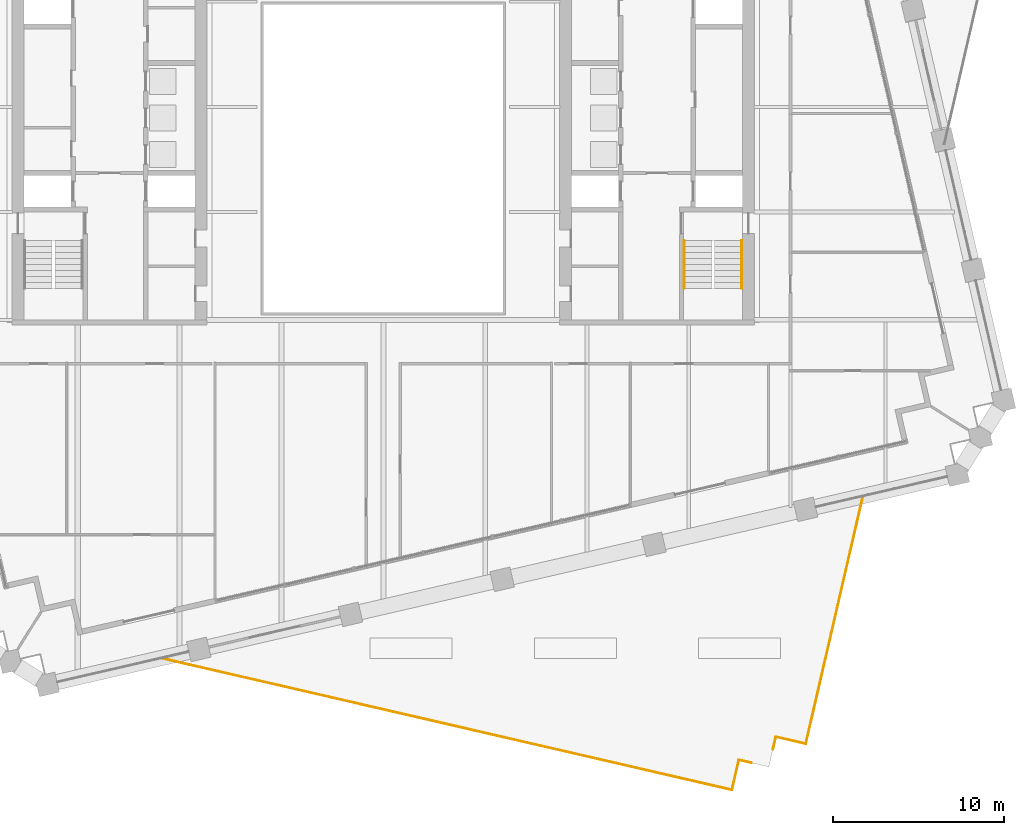
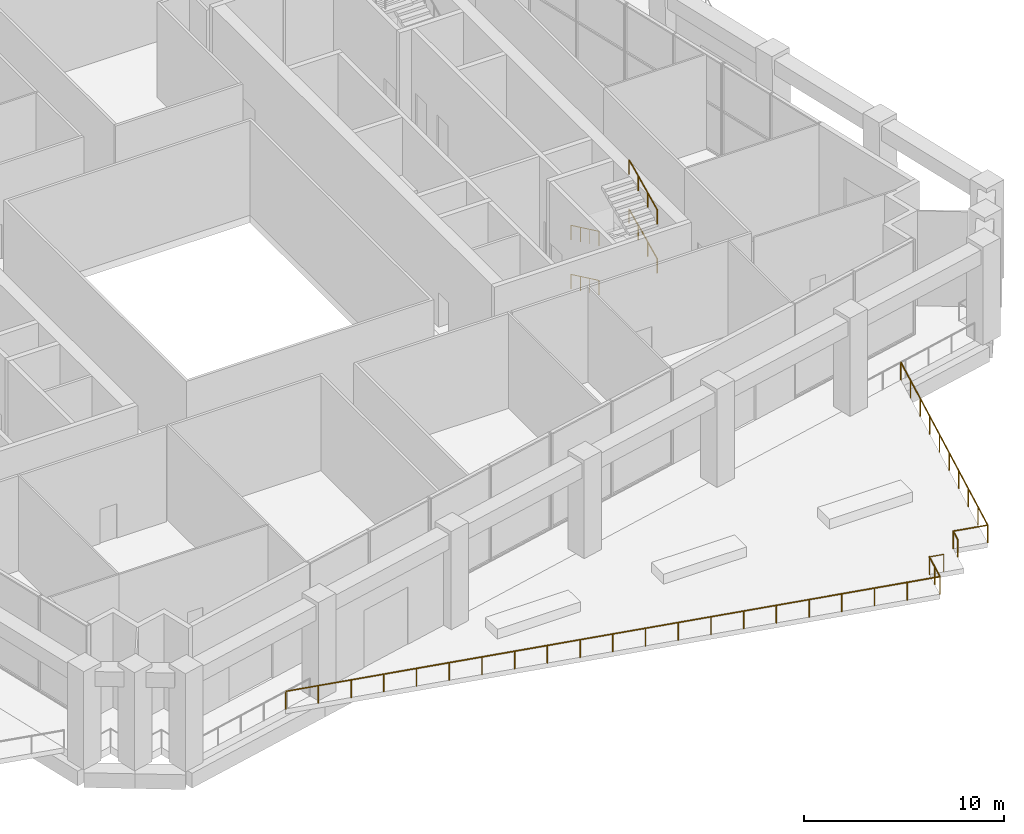
# One storey, part 19 of 24: 10 railings.
"""IFC4 building model written with IfcOpenShell, lengths in metres."""

import ifcopenshell
import ifcopenshell.guid

model = None  # the IFC model being written
_history = None  # IfcOwnerHistory: only IFC2X3 demands one
_inside = {}  # id of a spatial element -> (the spatial element, [elements in it])
_under = {}  # id of a project, library or spatial element -> (it, [spatial elements below it])
_declared = {}  # id of a project -> (the project, [libraries it declares])
_typed = {}  # id of a type object -> (the type object, [elements of that type])
_made_of = {}  # id of a material, layer set ... -> (it, [elements and type objects made of it])


def new_model(schema):
    """Start an empty IFC model of exactly this schema.

    Asked for "IFC4X3", IfcOpenShell would pick the latest addendum, in which some entities
    have other attributes; the version numbers below select the first issue.
    IFC2X3 requires an IfcOwnerHistory on every rooted entity: one is made here for all.
    """
    global model, _history
    if schema == "IFC4X3":
        model = ifcopenshell.file(schema_version=(4, 3, 0, 0))
    else:
        model = ifcopenshell.file(schema=schema)
    _inside.clear()
    _under.clear()
    _declared.clear()
    _typed.clear()
    _made_of.clear()
    _history = None
    if model.schema == "IFC2X3":
        org = make("IfcOrganization", Name="unknown")
        user = make(
            "IfcPersonAndOrganization",
            ThePerson=make("IfcPerson", FamilyName="unknown"),
            TheOrganization=org,
        )
        app = make(
            "IfcApplication",
            ApplicationDeveloper=org,
            Version="unknown",
            ApplicationFullName="unknown",
            ApplicationIdentifier="unknown",
        )
        _history = make(
            "IfcOwnerHistory",
            OwningUser=user,
            OwningApplication=app,
            ChangeAction="ADDED",
            CreationDate=0,
        )
    return model


def make(cls, **values):
    """One entity of the class cls with the attributes given. An attribute that is None is left unset."""
    return model.create_entity(
        cls, **{name: value for name, value in values.items() if value is not None}
    )


def rooted(cls, **values):
    """An entity with a GlobalId (a new one), such as an element, a storey or a relation."""
    return make(cls, GlobalId=ifcopenshell.guid.new(), OwnerHistory=_history, **values)


def si_unit(unit_type, name, prefix=None):
    """IfcSIUnit, for example si_unit("LENGTHUNIT", "METRE", prefix="MILLI")."""
    return make("IfcSIUnit", UnitType=unit_type, Prefix=prefix, Name=name)


def assignment(units):
    """IfcUnitAssignment: the units of a project."""
    return None if units is None else make("IfcUnitAssignment", Units=units)


def point(xyz):
    """IfcCartesianPoint."""
    return None if xyz is None else make("IfcCartesianPoint", Coordinates=xyz)


def direction(xyz):
    """IfcDirection."""
    return None if xyz is None else make("IfcDirection", DirectionRatios=xyz)


def frame(location, z_axis=None, x_axis=None):
    """IfcAxis2Placement3D, a coordinate frame: its origin and axes. An axis left out is left unset."""
    return make(
        "IfcAxis2Placement3D",
        Location=point(location),
        Axis=direction(z_axis),
        RefDirection=direction(x_axis),
    )


def frame_2d(location, x_axis=None):
    """IfcAxis2Placement2D, a coordinate frame in the plane: its origin and x axis."""
    return make(
        "IfcAxis2Placement2D", Location=point(location), RefDirection=direction(x_axis)
    )


def origin():
    """The frame at (0, 0, 0) with its axes left unset."""
    return frame((0.0, 0.0, 0.0))


def origin_2d():
    """The frame at (0, 0) in the plane with its x axis left unset."""
    return frame_2d((0.0, 0.0))


def place(relative_to, where):
    """IfcLocalPlacement: puts the frame where relative to a parent placement (None: the world)."""
    return make(
        "IfcLocalPlacement", PlacementRelTo=relative_to, RelativePlacement=where
    )


def context(
    kind, dimensions, precision=None, world=None, true_north=None, identifier=None
):
    """IfcGeometricRepresentationContext, for example the 3D "Model" context."""
    return make(
        "IfcGeometricRepresentationContext",
        ContextIdentifier=identifier,
        ContextType=kind,
        CoordinateSpaceDimension=dimensions,
        Precision=precision,
        WorldCoordinateSystem=world,
        TrueNorth=true_north,
    )


def subcontext(parent, identifier, kind, view, scale=None):
    """IfcGeometricRepresentationSubContext, for example "Body" below "Model"."""
    return make(
        "IfcGeometricRepresentationSubContext",
        ContextIdentifier=identifier,
        ContextType=kind,
        ParentContext=parent,
        TargetScale=scale,
        TargetView=view,
    )


def project(units=None, contexts=None):
    """IfcProject with its units and contexts."""
    return rooted(
        "IfcProject",
        Name="project",
        RepresentationContexts=contexts,
        UnitsInContext=assignment(units),
    )


def spatial(cls, under=None, at=None, **own):
    """A site, building, storey or space (cls), placed at a placement, below another one or the project."""
    s = rooted(cls, ObjectPlacement=at, **own)
    if under is not None:
        _under.setdefault(under.id(), (under, []))[1].append(s)
    return s


def profile(cls, at=None, kind="AREA", **sizes):
    """A parametric profile (cls). Its sizes go by their IFC names, for example OverallWidth=200.0."""
    return make(cls, ProfileType=kind, Position=at, **sizes)


def circle(**sizes):
    """IfcCircleProfileDef."""
    return profile("IfcCircleProfileDef", **sizes)


def extrude(swept, where, along, depth):
    """IfcExtrudedAreaSolid: the profile swept, set in the frame where, extruded along a direction by depth."""
    return make(
        "IfcExtrudedAreaSolid",
        SweptArea=swept,
        Position=where,
        ExtrudedDirection=direction(along),
        Depth=depth,
    )


def shape(context_of_items, identifier, shape_type, items):
    """IfcShapeRepresentation: the items that make up one representation, for example the "Body"."""
    return make(
        "IfcShapeRepresentation",
        ContextOfItems=context_of_items,
        RepresentationIdentifier=identifier,
        RepresentationType=shape_type,
        Items=items,
    )


def material(Name=None, Category=None):
    """IfcMaterial."""
    return make("IfcMaterial", Name=Name, Category=Category)


def made_of(thing, what):
    """Note that an element or type object is made of a material, layer set ...; save() writes the relation."""
    if what is not None:
        _made_of.setdefault(what.id(), (what, []))[1].append(thing)
    return thing


def type_object(cls, material=None, **own):
    """A type object (cls), such as IfcWallType, which elements share."""
    return made_of(rooted(cls, **own), material)


def element(
    cls,
    number,
    at=None,
    inside=None,
    cuts=None,
    type_object=None,
    material=None,
    context=None,
    identifier="Body",
    shape_type=None,
    held_by="IfcProductDefinitionShape",
    body=None,
    shapes=None,
    **own,
):
    """One element of the class cls, such as IfcWall. Its Tag is "e" and its number.

    at: its placement. inside: the storey or other place that contains it. cuts: it is an
    opening in that element (IfcRelVoidsElement). A single representation is given by context,
    identifier, shape_type and body (its items); several are given by shapes. held_by: the class
    of the entity that holds the representations. save() writes the other relations.
    """
    e = rooted(cls, Tag="e%d" % number, ObjectPlacement=at, **own)
    if body is not None:
        shapes = [shape(context, identifier, shape_type, body)]
    if shapes is not None:
        e.Representation = make(held_by, Representations=shapes)
    if inside is not None:
        _inside.setdefault(inside.id(), (inside, []))[1].append(e)
    if cuts is not None:
        rooted(
            "IfcRelVoidsElement", RelatingBuildingElement=cuts, RelatedOpeningElement=e
        )
    if type_object is not None:
        _typed.setdefault(type_object.id(), (type_object, []))[1].append(e)
    return made_of(e, material)


def aggregate(whole, parts):
    """IfcRelAggregates: a whole, such as a stair, and the parts it consists of."""
    return rooted("IfcRelAggregates", RelatingObject=whole, RelatedObjects=parts)


def save(model, path):
    """Write the relations noted so far, then the file.

    IfcRelAggregates (storeys below a building ...), IfcRelContainedInSpatialStructure (elements
    in a storey), IfcRelDefinesByType, IfcRelAssociatesMaterial and IfcRelDeclares: one each for
    every whole, place, type object, material and project.
    """
    for whole, parts in _under.values():
        aggregate(whole, parts)
    for where, things in _inside.values():
        rooted(
            "IfcRelContainedInSpatialStructure",
            RelatedElements=things,
            RelatingStructure=where,
        )
    for kind, things in _typed.values():
        rooted("IfcRelDefinesByType", RelatedObjects=things, RelatingType=kind)
    for what, things in _made_of.values():
        rooted("IfcRelAssociatesMaterial", RelatedObjects=things, RelatingMaterial=what)
    for by, libraries in _declared.values():
        rooted("IfcRelDeclares", RelatingContext=by, RelatedDefinitions=libraries)
    model.write(path)


model = new_model("IFC4")

# Units and contexts
model_context = context("Model", 3, precision=1e-05, world=origin(), true_north=direction((0.0, 1.0)))
body_context = subcontext(model_context, "Body", "Model", "MODEL_VIEW")
ifc_project = project(units=[si_unit("LENGTHUNIT", "METRE"), si_unit("AREAUNIT", "SQUARE_METRE"), si_unit("VOLUMEUNIT", "CUBIC_METRE"), si_unit("PLANEANGLEUNIT", "RADIAN"), si_unit("MASSUNIT", "GRAM", prefix="KILO")], contexts=[model_context])

# Site, building, storey
site_placement = place(None, origin())
site = spatial("IfcSite", under=ifc_project, at=site_placement, CompositionType="ELEMENT")
building_placement = place(site_placement, origin())
building = spatial("IfcBuilding", under=site, at=building_placement, Name="Ogive Exchange Tower", CompositionType="ELEMENT")
storey_placement = place(building_placement, frame((0.0, 0.0, 165.60009765625)))
storey = spatial("IfcBuildingStorey", under=building, at=storey_placement, Name="L36", CompositionType="ELEMENT", Elevation=165.60009765625)

# Railings
ifc_material_1 = material(Name="Stainless steel 316", Category="steel")
railing_type_1 = type_object("IfcRailingType", Name="Balustrade 1100 glass and stainless steel", PredefinedType="BALUSTRADE", material=ifc_material_1)
railing_1_placement = place(storey_placement, frame((24.697509765625, -27.219970703125, 0.0)))
element("IfcRailing", 1, at=railing_1_placement, inside=storey, type_object=railing_type_1, Name="Terrace balustrade 1", PredefinedType="BALUSTRADE", context=body_context, shape_type="SweptSolid", body=[
    extrude(circle(Radius=0.02392578125, at=origin_2d()), frame((0.0, 0.0, 1.076171875), z_axis=(-0.974379763188, 0.224909041816, 0.0), x_axis=(-0.224909041816, -0.974379763188, 0.0)), (0.0, 0.0, 1.0), 1.7998046875),
    extrude(circle(Radius=0.02099609375, at=origin_2d()), origin(), (0.0, 0.0, 1.0), 1.052001953125),
    extrude(circle(Radius=0.02099609375, at=origin_2d()), frame((-1.753662109375, 0.40478515625, 0.0)), (0.0, 0.0, 1.0), 1.052001953125),
])
railing_2_placement = place(storey_placement, frame((22.94384765625, -26.815185546875, 0.0)))
element("IfcRailing", 2, at=railing_2_placement, inside=storey, type_object=railing_type_1, Name="Terrace balustrade 2", PredefinedType="BALUSTRADE", context=body_context, shape_type="SweptSolid", body=[
    extrude(circle(Radius=0.02392578125, at=origin_2d()), frame((0.0, 0.0, 1.076171875), z_axis=(-0.224954609936, -0.974369243905, 0.0), x_axis=(0.974369243905, -0.224954609936, 0.0)), (0.0, 0.0, 1.0), 0.75),
    extrude(circle(Radius=0.02099609375, at=origin_2d()), origin(), (0.0, 0.0, 1.0), 1.052001953125),
    extrude(circle(Radius=0.02099609375, at=origin_2d()), frame((-0.168701171875, -0.730712890625, 0.0)), (0.0, 0.0, 1.0), 1.052001953125),
])
railing_3_placement = place(storey_placement, frame((21.515869140625, -28.332763671875, 0.0)))
element("IfcRailing", 3, at=railing_3_placement, inside=storey, type_object=railing_type_1, Name="Terrace balustrade 3", PredefinedType="BALUSTRADE", context=body_context, shape_type="SweptSolid", body=[
    extrude(circle(Radius=0.02392578125, at=origin_2d()), frame((0.0, 0.0, 1.076171875), z_axis=(-0.974385710358, 0.224883275169, 0.0), x_axis=(-0.224883275169, -0.974385710358, 0.0)), (0.0, 0.0, 1.0), 0.750244140625),
    extrude(circle(Radius=0.02099609375, at=origin_2d()), origin(), (0.0, 0.0, 1.0), 1.052001953125),
    extrude(circle(Radius=0.02099609375, at=origin_2d()), frame((-0.73095703125, 0.168701171875, 0.0)), (0.0, 0.0, 1.0), 1.052001953125),
])
railing_4_placement = place(storey_placement, frame((20.784912109375, -28.1640625, 0.0)))
element("IfcRailing", 4, at=railing_4_placement, inside=storey, type_object=railing_type_1, Name="Terrace balustrade 4", PredefinedType="BALUSTRADE", context=body_context, shape_type="SweptSolid", body=[
    extrude(circle(Radius=0.02392578125, at=origin_2d()), frame((0.0, 0.0, 1.076171875), z_axis=(-0.224879318197, -0.974386623598, 0.0), x_axis=(0.974386623598, -0.224879318197, 0.0)), (0.0, 0.0, 1.0), 1.800048828125),
    extrude(circle(Radius=0.02099609375, at=origin_2d()), origin(), (0.0, 0.0, 1.0), 1.052001953125),
    extrude(circle(Radius=0.02099609375, at=origin_2d()), frame((-0.202392578125, -0.876953125, 0.0)), (0.0, 0.0, 1.0), 1.052001953125),
    extrude(circle(Radius=0.02099609375, at=origin_2d()), frame((-0.40478515625, -1.75390625, 0.0)), (0.0, 0.0, 1.0), 1.052001953125),
])
railing_5_placement = place(storey_placement, frame((20.380126953125, -29.91796875, 0.0)))
element("IfcRailing", 5, at=railing_5_placement, inside=storey, type_object=railing_type_1, Name="Terrace balustrade 5", PredefinedType="BALUSTRADE", context=body_context, shape_type="SweptSolid", body=[
    extrude(circle(Radius=0.02392578125, at=origin_2d()), frame((0.0, 0.0, 1.076171875), z_axis=(-0.974370288916, 0.224950083526, 0.0), x_axis=(-0.224950083526, -0.974370288916, 0.0)), (0.0, 0.0, 1.0), 34.25244140625),
    extrude(circle(Radius=0.02099609375, at=origin_2d()), origin(), (0.0, 0.0, 1.0), 1.052001953125),
    extrude(circle(Radius=0.02099609375, at=origin_2d()), frame((-1.668701171875, 0.38525390625, 0.0)), (0.0, 0.0, 1.0), 1.052001953125),
    extrude(circle(Radius=0.02099609375, at=origin_2d()), frame((-3.33740234375, 0.7705078125, 0.0)), (0.0, 0.0, 1.0), 1.052001953125),
    extrude(circle(Radius=0.02099609375, at=origin_2d()), frame((-5.006103515625, 1.15576171875, 0.0)), (0.0, 0.0, 1.0), 1.052001953125),
    extrude(circle(Radius=0.02099609375, at=origin_2d()), frame((-6.6748046875, 1.541015625, 0.0)), (0.0, 0.0, 1.0), 1.052001953125),
    extrude(circle(Radius=0.02099609375, at=origin_2d()), frame((-8.34375, 1.92626953125, 0.0)), (0.0, 0.0, 1.0), 1.052001953125),
    extrude(circle(Radius=0.02099609375, at=origin_2d()), frame((-10.012451171875, 2.3115234375, 0.0)), (0.0, 0.0, 1.0), 1.052001953125),
    extrude(circle(Radius=0.02099609375, at=origin_2d()), frame((-11.68115234375, 2.69677734375, 0.0)), (0.0, 0.0, 1.0), 1.052001953125),
    extrude(circle(Radius=0.02099609375, at=origin_2d()), frame((-13.349853515625, 3.08203125, 0.0)), (0.0, 0.0, 1.0), 1.052001953125),
    extrude(circle(Radius=0.02099609375, at=origin_2d()), frame((-15.0185546875, 3.46728515625, 0.0)), (0.0, 0.0, 1.0), 1.052001953125),
    extrude(circle(Radius=0.02099609375, at=origin_2d()), frame((-16.687255859375, 3.8525390625, 0.0)), (0.0, 0.0, 1.0), 1.052001953125),
    extrude(circle(Radius=0.02099609375, at=origin_2d()), frame((-18.35595703125, 4.23779296875, 0.0)), (0.0, 0.0, 1.0), 1.052001953125),
    extrude(circle(Radius=0.02099609375, at=origin_2d()), frame((-20.024658203125, 4.623046875, 0.0)), (0.0, 0.0, 1.0), 1.052001953125),
    extrude(circle(Radius=0.02099609375, at=origin_2d()), frame((-21.693359375, 5.00830078125, 0.0)), (0.0, 0.0, 1.0), 1.052001953125),
    extrude(circle(Radius=0.02099609375, at=origin_2d()), frame((-23.362060546875, 5.3935546875, 0.0)), (0.0, 0.0, 1.0), 1.052001953125),
    extrude(circle(Radius=0.02099609375, at=origin_2d()), frame((-25.03076171875, 5.77880859375, 0.0)), (0.0, 0.0, 1.0), 1.052001953125),
    extrude(circle(Radius=0.02099609375, at=origin_2d()), frame((-26.69970703125, 6.1640625, 0.0)), (0.0, 0.0, 1.0), 1.052001953125),
    extrude(circle(Radius=0.02099609375, at=origin_2d()), frame((-28.368408203125, 6.54931640625, 0.0)), (0.0, 0.0, 1.0), 1.052001953125),
    extrude(circle(Radius=0.02099609375, at=origin_2d()), frame((-30.037109375, 6.9345703125, 0.0)), (0.0, 0.0, 1.0), 1.052001953125),
    extrude(circle(Radius=0.02099609375, at=origin_2d()), frame((-31.705810546875, 7.31982421875, 0.0)), (0.0, 0.0, 1.0), 1.052001953125),
    extrude(circle(Radius=0.02099609375, at=origin_2d()), frame((-33.37451171875, 7.705078125, 0.0)), (0.0, 0.0, 1.0), 1.052001953125),
])
railing_6_placement = place(storey_placement, frame((28.040771484375, -12.739013671875, 0.0)))
element("IfcRailing", 6, at=railing_6_placement, inside=storey, type_object=railing_type_1, Name="Terrace balustrade 6", PredefinedType="BALUSTRADE", context=body_context, shape_type="SweptSolid", body=[
    extrude(circle(Radius=0.02392578125, at=origin_2d()), frame((0.0, 0.0, 1.076171875), z_axis=(-0.224955485355, -0.974369041795, 0.0), x_axis=(0.974369041795, -0.224955485355, 0.0)), (0.0, 0.0, 1.0), 14.86181640625),
    extrude(circle(Radius=0.02099609375, at=origin_2d()), origin(), (0.0, 0.0, 1.0), 1.052001953125),
    extrude(circle(Radius=0.02099609375, at=origin_2d()), frame((-0.37158203125, -1.60888671875, 0.0)), (0.0, 0.0, 1.0), 1.052001953125),
    extrude(circle(Radius=0.02099609375, at=origin_2d()), frame((-0.742919921875, -3.218017578125, 0.0)), (0.0, 0.0, 1.0), 1.052001953125),
    extrude(circle(Radius=0.02099609375, at=origin_2d()), frame((-1.114501953125, -4.826904296875, 0.0)), (0.0, 0.0, 1.0), 1.052001953125),
    extrude(circle(Radius=0.02099609375, at=origin_2d()), frame((-1.48583984375, -6.43603515625, 0.0)), (0.0, 0.0, 1.0), 1.052001953125),
    extrude(circle(Radius=0.02099609375, at=origin_2d()), frame((-1.857421875, -8.044921875, 0.0)), (0.0, 0.0, 1.0), 1.052001953125),
    extrude(circle(Radius=0.02099609375, at=origin_2d()), frame((-2.228759765625, -9.654052734375, 0.0)), (0.0, 0.0, 1.0), 1.052001953125),
    extrude(circle(Radius=0.02099609375, at=origin_2d()), frame((-2.600341796875, -11.262939453125, 0.0)), (0.0, 0.0, 1.0), 1.052001953125),
    extrude(circle(Radius=0.02099609375, at=origin_2d()), frame((-2.9716796875, -12.8720703125, 0.0)), (0.0, 0.0, 1.0), 1.052001953125),
    extrude(circle(Radius=0.02099609375, at=origin_2d()), frame((-3.34326171875, -14.48095703125, 0.0)), (0.0, 0.0, 1.0), 1.052001953125),
])
ifc_material_2 = material(Name="Stainless steel", Category="steel")
railing_type_2 = type_object("IfcRailingType", Name="Stair handrail 900", PredefinedType="HANDRAIL", material=ifc_material_2)
railing_7_placement = place(storey_placement, frame((17.60009765625, 2.199951171875, 0.16650390625)))
element("IfcRailing", 7, at=railing_7_placement, inside=storey, type_object=railing_type_2, Name="L36 ST3 stair handrail 1", PredefinedType="HANDRAIL", context=body_context, shape_type="SweptSolid", body=[
    extrude(circle(Radius=0.02392578125, at=origin_2d()), frame((0.0, 0.0, 0.8759765625), z_axis=(0.0, -0.903307180593, 0.428994332701), x_axis=(1.0, 0.0, 0.0)), (0.0, 0.0, 1.0), 3.1083984375),
    extrude(circle(Radius=0.02099609375, at=origin_2d()), origin(), (0.0, 0.0, 1.0), 0.851806640625),
    extrude(circle(Radius=0.02099609375, at=origin_2d()), frame((0.0, -0.93603515625, 0.444580078125)), (0.0, 0.0, 1.0), 0.851806640625),
    extrude(circle(Radius=0.02099609375, at=origin_2d()), frame((0.0, -1.871826171875, 0.888916015625)), (0.0, 0.0, 1.0), 0.851806640625),
    extrude(circle(Radius=0.02099609375, at=origin_2d()), frame((0.0, -2.807861328125, 1.33349609375)), (0.0, 0.0, 1.0), 0.851806640625),
])
railing_8_placement = place(storey_placement, frame((20.949951171875, -0.60791015625, 1.66650390625)))
element("IfcRailing", 8, at=railing_8_placement, inside=storey, type_object=railing_type_2, Name="L36 ST3 stair handrail 2", PredefinedType="HANDRAIL", context=body_context, shape_type="SweptSolid", body=[
    extrude(circle(Radius=0.02392578125, at=origin_2d()), frame((0.0, 0.0, 0.8759765625), z_axis=(0.0, 0.903307180593, 0.428994332701), x_axis=(-1.0, 0.0, 0.0)), (0.0, 0.0, 1.0), 3.1083984375),
    extrude(circle(Radius=0.02099609375, at=origin_2d()), origin(), (0.0, 0.0, 1.0), 0.851806640625),
    extrude(circle(Radius=0.02099609375, at=origin_2d()), frame((0.0, 0.93603515625, 0.444580078125)), (0.0, 0.0, 1.0), 0.851806640625),
    extrude(circle(Radius=0.02099609375, at=origin_2d()), frame((0.0, 1.871826171875, 0.888916015625)), (0.0, 0.0, 1.0), 0.851806640625),
    extrude(circle(Radius=0.02099609375, at=origin_2d()), frame((0.0, 2.807861328125, 1.33349609375)), (0.0, 0.0, 1.0), 0.851806640625),
])
railing_9_placement = place(storey_placement, frame((17.60009765625, 2.199951171875, 3.16650390625)))
element("IfcRailing", 9, at=railing_9_placement, inside=storey, type_object=railing_type_2, Name="L36 ST3 stair handrail 3", PredefinedType="HANDRAIL", context=body_context, shape_type="SweptSolid", body=[
    extrude(circle(Radius=0.02392578125, at=origin_2d()), frame((0.0, 0.0, 0.8759765625), z_axis=(0.0, -0.903307180593, 0.428994332701), x_axis=(1.0, 0.0, 0.0)), (0.0, 0.0, 1.0), 3.1083984375),
    extrude(circle(Radius=0.02099609375, at=origin_2d()), origin(), (0.0, 0.0, 1.0), 0.851806640625),
    extrude(circle(Radius=0.02099609375, at=origin_2d()), frame((0.0, -0.93603515625, 0.444580078125)), (0.0, 0.0, 1.0), 0.851806640625),
    extrude(circle(Radius=0.02099609375, at=origin_2d()), frame((0.0, -1.871826171875, 0.888916015625)), (0.0, 0.0, 1.0), 0.851806640625),
    extrude(circle(Radius=0.02099609375, at=origin_2d()), frame((0.0, -2.807861328125, 1.33349609375)), (0.0, 0.0, 1.0), 0.851806640625),
])
railing_10_placement = place(storey_placement, frame((20.949951171875, -0.60791015625, 4.66650390625)))
element("IfcRailing", 10, at=railing_10_placement, inside=storey, type_object=railing_type_2, Name="L36 ST3 stair handrail 4", PredefinedType="HANDRAIL", context=body_context, shape_type="SweptSolid", body=[
    extrude(circle(Radius=0.02392578125, at=origin_2d()), frame((0.0, 0.0, 0.8759765625), z_axis=(0.0, 0.903307180593, 0.428994332701), x_axis=(-1.0, 0.0, 0.0)), (0.0, 0.0, 1.0), 3.1083984375),
    extrude(circle(Radius=0.02099609375, at=origin_2d()), origin(), (0.0, 0.0, 1.0), 0.851806640625),
    extrude(circle(Radius=0.02099609375, at=origin_2d()), frame((0.0, 0.93603515625, 0.444580078125)), (0.0, 0.0, 1.0), 0.851806640625),
    extrude(circle(Radius=0.02099609375, at=origin_2d()), frame((0.0, 1.871826171875, 0.888916015625)), (0.0, 0.0, 1.0), 0.851806640625),
    extrude(circle(Radius=0.02099609375, at=origin_2d()), frame((0.0, 2.807861328125, 1.33349609375)), (0.0, 0.0, 1.0), 0.851806640625),
])

save(model, "model.ifc")
